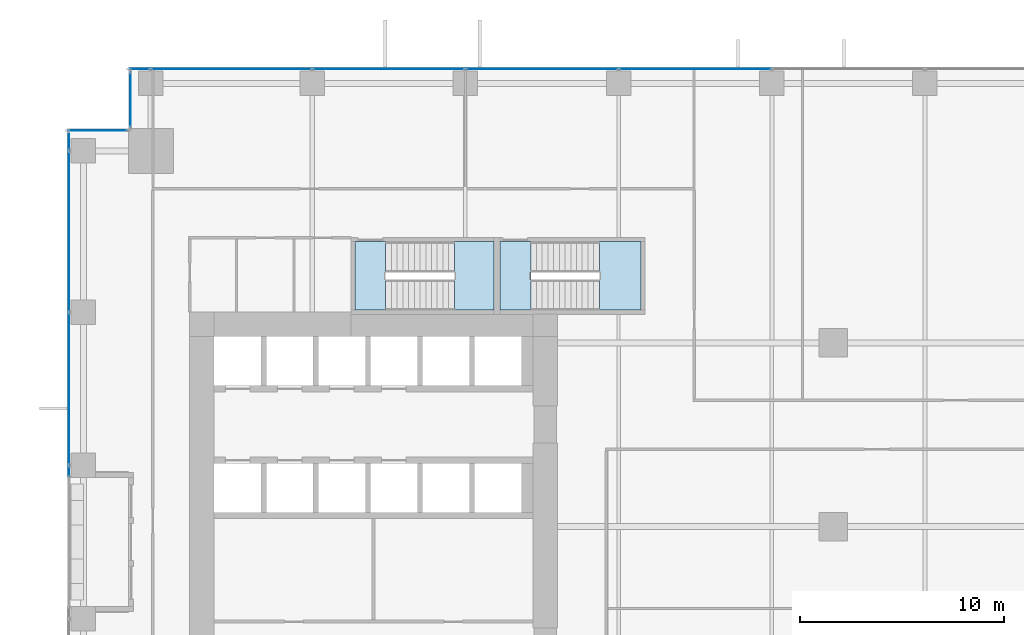
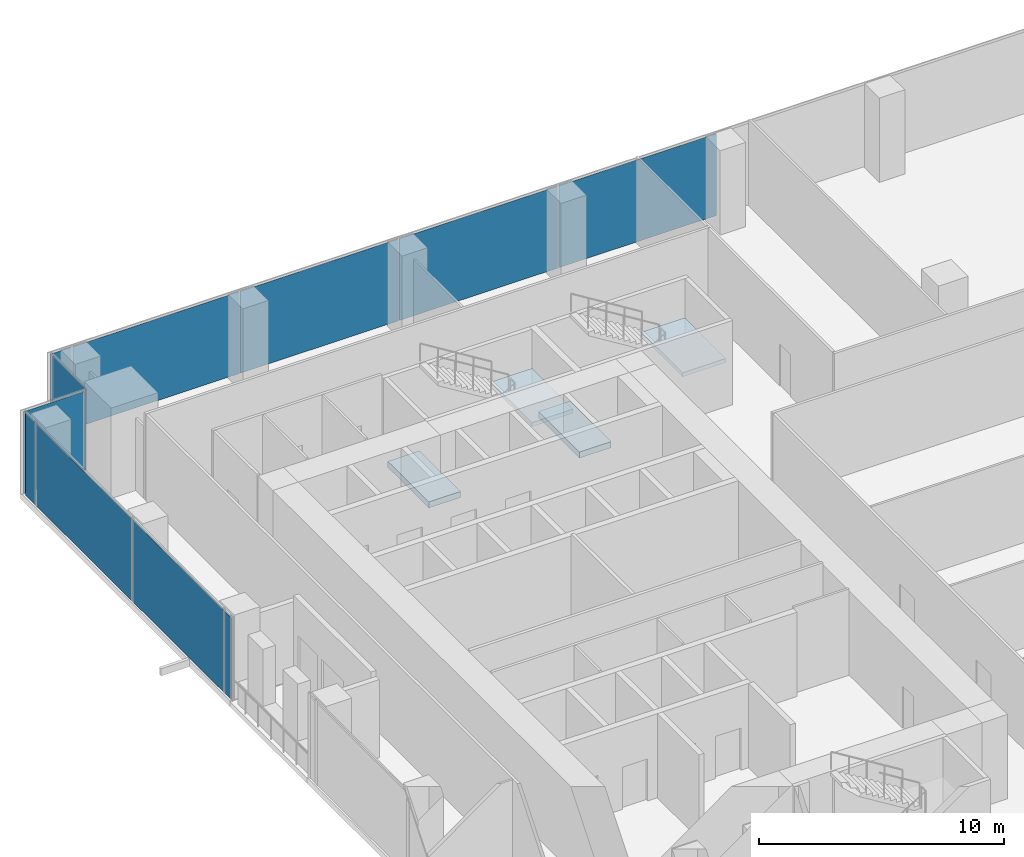
# One storey, part 24 of 32: 11 plates, 4 slabs, 6 elements without a shape of their own.
"""IFC4 building model written with IfcOpenShell, lengths in metres."""

from ifc_helpers import new_model, si_unit, direction, frame, origin, origin_2d, place, context, subcontext, project, spatial, polyline, rectangle, outline, extrude, source, transform, mapped, material, layer, layer_set, type_object, element, aggregate, save


model = new_model("IFC4")

# Units and contexts
model_context = context("Model", 3, precision=1e-05, world=origin(), true_north=direction((0.0, 1.0)))
body_context = subcontext(model_context, "Body", "Model", "MODEL_VIEW")
ifc_project = project(units=[si_unit("LENGTHUNIT", "METRE"), si_unit("AREAUNIT", "SQUARE_METRE"), si_unit("VOLUMEUNIT", "CUBIC_METRE"), si_unit("PLANEANGLEUNIT", "RADIAN"), si_unit("MASSUNIT", "GRAM", prefix="KILO")], contexts=[model_context])

# Site, building, storey
site_placement = place(None, origin())
site = spatial("IfcSite", under=ifc_project, at=site_placement, CompositionType="ELEMENT")
building_placement = place(site_placement, origin())
building = spatial("IfcBuilding", under=site, at=building_placement, Name="Khomas Fold Tower", CompositionType="ELEMENT")
storey_placement = place(building_placement, frame((0.0, 0.0, 64.5)))
storey = spatial("IfcBuildingStorey", under=building, at=storey_placement, Name="L13", CompositionType="ELEMENT", Elevation=64.5)

# Curtain wall, plate
ifc_material_1 = material(Name="Aluminium framed double glazing", Category="aluminium")
curtain_wall_type = type_object("IfcCurtainWallType", Name="SK-Unitised clear-glass wall, growing floors CW1", PredefinedType="NOTDEFINED", material=ifc_material_1)
curtain_wall_1_placement = place(storey_placement, origin())
curtain_wall_1 = element("IfcCurtainWall", 1, at=curtain_wall_1_placement, inside=storey, type_object=curtain_wall_type, Name="CW1 run L13 09-0", PredefinedType="NOTDEFINED")
ifc_material_2 = material(Name="Clear double glazed unit")
ifc_layer_1 = layer(ifc_material_2, 0.031982421875)
ifc_layer_set_1 = layer_set([ifc_layer_1], Name="Clear double glazed unit")
plate_type = type_object("IfcPlateType", Name="SK-Unitised clear-glass wall, growing floors glass panel CW1-P", PredefinedType="CURTAIN_PANEL", material=ifc_layer_set_1)
shared_shape_1 = source(origin(), body_context, "Body", "SweptSolid", [
    extrude(rectangle(XDim=0.81005859375, YDim=0.031982421875, at=origin_2d()), origin(), (0.0, 0.0, 1.0), 4.080078125),
])
plate_1_placement = place(storey_placement, frame((0.10009765625, 50.3349609375, 0.0), z_axis=(0.0, 0.0, 1.0), x_axis=(0.0, -1.0, 0.0)))
plate_1 = element("IfcPlate", 2, at=plate_1_placement, type_object=plate_type, Name="CW1 glass panel 1", PredefinedType="CURTAIN_PANEL", context=body_context, shape_type="MappedRepresentation", body=[
    mapped(shared_shape_1, transform((0.0, 0.0, 0.0))),
])

curtain_wall_2_placement = place(storey_placement, origin())
curtain_wall_2 = element("IfcCurtainWall", 3, at=curtain_wall_2_placement, inside=storey, type_object=curtain_wall_type, Name="CW1 run L13 06-0", PredefinedType="NOTDEFINED")
shared_shape_2 = source(origin(), body_context, "Body", "SweptSolid", [
    extrude(rectangle(XDim=7.840087890625, YDim=0.031982421875, at=origin_2d()), origin(), (0.0, 0.0, 1.0), 4.080078125),
])
plate_2_placement = place(storey_placement, frame((8.050048828125, 53.89990234375, 0.0), z_axis=(0.0, 0.0, 1.0), x_axis=(-1.0, 0.0, 0.0)))
plate_2 = element("IfcPlate", 4, at=plate_2_placement, type_object=plate_type, Name="CW1 glass panel 7", PredefinedType="CURTAIN_PANEL", context=body_context, shape_type="MappedRepresentation", body=[
    mapped(shared_shape_2, transform((0.0, 0.0, 0.0))),
])

# Plate
plate_3_placement = place(storey_placement, frame((0.10009765625, 45.949951171875, 0.0), z_axis=(0.0, 0.0, 1.0), x_axis=(0.0, -1.0, 0.0)))
plate_3 = element("IfcPlate", 5, at=plate_3_placement, type_object=plate_type, Name="CW1 glass panel 2", PredefinedType="CURTAIN_PANEL", context=body_context, shape_type="MappedRepresentation", body=[
    mapped(shared_shape_2, transform((0.0, 0.0, 0.0))),
])

shared_shape_3 = source(origin(), body_context, "Body", "SweptSolid", [
    extrude(rectangle(XDim=7.43994140625, YDim=0.031982421875, at=origin_2d()), origin(), (0.0, 0.0, 1.0), 4.080078125),
])
plate_4_placement = place(storey_placement, frame((30.75, 53.89990234375, 0.0), z_axis=(0.0, 0.0, 1.0), x_axis=(-1.0, 0.0, 0.0)))
plate_4 = element("IfcPlate", 6, at=plate_4_placement, type_object=plate_type, Name="CW1 glass panel 4", PredefinedType="CURTAIN_PANEL", context=body_context, shape_type="MappedRepresentation", body=[
    mapped(shared_shape_3, transform((0.0, 0.0, 0.0))),
])

plate_5_placement = place(storey_placement, frame((23.25, 53.89990234375, 0.0), z_axis=(0.0, 0.0, 1.0), x_axis=(-1.0, 0.0, 0.0)))
plate_5 = element("IfcPlate", 7, at=plate_5_placement, type_object=plate_type, Name="CW1 glass panel 5", PredefinedType="CURTAIN_PANEL", context=body_context, shape_type="MappedRepresentation", body=[
    mapped(shared_shape_3, transform((0.0, 0.0, 0.0))),
])

plate_6_placement = place(storey_placement, frame((15.75, 53.89990234375, 0.0), z_axis=(0.0, 0.0, 1.0), x_axis=(-1.0, 0.0, 0.0)))
plate_6 = element("IfcPlate", 8, at=plate_6_placement, type_object=plate_type, Name="CW1 glass panel 6", PredefinedType="CURTAIN_PANEL", context=body_context, shape_type="MappedRepresentation", body=[
    mapped(shared_shape_3, transform((0.0, 0.0, 0.0))),
])

plate_7_placement = place(storey_placement, frame((0.10009765625, 38.25, 0.0), z_axis=(0.0, 0.0, 1.0), x_axis=(0.0, -1.0, 0.0)))
plate_7 = element("IfcPlate", 9, at=plate_7_placement, type_object=plate_type, Name="CW1 glass panel 3", PredefinedType="CURTAIN_PANEL", context=body_context, shape_type="MappedRepresentation", body=[
    mapped(shared_shape_3, transform((0.0, 0.0, 0.0))),
])

shared_shape_4 = source(origin(), body_context, "Body", "SweptSolid", [
    extrude(rectangle(XDim=1.010009765625, YDim=0.031982421875, at=origin_2d()), origin(), (0.0, 0.0, 1.0), 4.080078125),
])
plate_8_placement = place(storey_placement, frame((3.56494140625, 53.89990234375, 0.0), z_axis=(0.0, 0.0, 1.0), x_axis=(-1.0, 0.0, 0.0)))
plate_8 = element("IfcPlate", 10, at=plate_8_placement, type_object=plate_type, Name="CW1 glass panel 8", PredefinedType="CURTAIN_PANEL", context=body_context, shape_type="MappedRepresentation", body=[
    mapped(shared_shape_4, transform((0.0, 0.0, 0.0))),
])

aggregate(curtain_wall_2, [plate_4, plate_5, plate_6, plate_2, plate_8])

# Curtain wall, plate
curtain_wall_3_placement = place(storey_placement, origin())
curtain_wall_3 = element("IfcCurtainWall", 11, at=curtain_wall_3_placement, inside=storey, type_object=curtain_wall_type, Name="CW1 corner return L13 07", PredefinedType="NOTDEFINED")
shared_shape_5 = source(origin(), body_context, "Body", "SweptSolid", [
    extrude(rectangle(XDim=2.679931640625, YDim=0.031982421875, at=origin_2d()), origin(), (0.0, 0.0, 1.0), 4.080078125),
])
plate_9_placement = place(storey_placement, frame((3.10009765625, 52.39990234375, 0.0), z_axis=(0.0, 0.0, 1.0), x_axis=(0.0, -1.0, 0.0)))
plate_9 = element("IfcPlate", 12, at=plate_9_placement, type_object=plate_type, Name="CW1 glass panel 1", PredefinedType="CURTAIN_PANEL", context=body_context, shape_type="MappedRepresentation", body=[
    mapped(shared_shape_5, transform((0.0, 0.0, 0.0))),
])
aggregate(curtain_wall_3, [plate_9])

curtain_wall_4_placement = place(storey_placement, origin())
curtain_wall_4 = element("IfcCurtainWall", 13, at=curtain_wall_4_placement, inside=storey, type_object=curtain_wall_type, Name="CW1 corner return L13 08", PredefinedType="NOTDEFINED")
shared_shape_6 = source(origin(), body_context, "Body", "SweptSolid", [
    extrude(rectangle(XDim=2.8798828125, YDim=0.031982421875, at=origin_2d()), origin(), (0.0, 0.0, 1.0), 4.080078125),
])
plate_10_placement = place(storey_placement, frame((1.5, 50.89990234375, 0.0), z_axis=(0.0, 0.0, 1.0), x_axis=(-1.0, 0.0, 0.0)))
plate_10 = element("IfcPlate", 14, at=plate_10_placement, type_object=plate_type, Name="CW1 glass panel 1", PredefinedType="CURTAIN_PANEL", context=body_context, shape_type="MappedRepresentation", body=[
    mapped(shared_shape_6, transform((0.0, 0.0, 0.0))),
])
aggregate(curtain_wall_4, [plate_10])

# Plate
shared_shape_7 = source(origin(), body_context, "Body", "SweptSolid", [
    extrude(rectangle(XDim=0.510009765625, YDim=0.031982421875, at=origin_2d()), origin(), (0.0, 0.0, 1.0), 4.080078125),
])
plate_11_placement = place(storey_placement, frame((0.10009765625, 34.215087890625, 0.0), z_axis=(0.0, 0.0, 1.0), x_axis=(0.0, -1.0, 0.0)))
plate_11 = element("IfcPlate", 15, at=plate_11_placement, type_object=plate_type, Name="CW1 glass panel 4", PredefinedType="CURTAIN_PANEL", context=body_context, shape_type="MappedRepresentation", body=[
    mapped(shared_shape_7, transform((0.0, 0.0, 0.0))),
])

aggregate(curtain_wall_1, [plate_1, plate_3, plate_7, plate_11])

# Stair, slab
ifc_material_3 = material(Name="Concrete C40/50", Category="concrete")
stair_type_1 = type_object("IfcStairType", Name="Stair ST1", PredefinedType="HALF_TURN_STAIR", material=ifc_material_3)
stair_1_placement = place(storey_placement, origin())
stair_1 = element("IfcStair", 16, at=stair_1_placement, inside=storey, type_object=stair_type_1, Name="L13 ST1", PredefinedType="HALF_TURN_STAIR")
ifc_material_4 = material(Name="Concrete C40/50", Category="concrete")
ifc_layer_2 = layer(ifc_material_4, 0.199951171875)
ifc_layer_set_2 = layer_set([ifc_layer_2], Name="Concrete C40/50")
slab_type_1 = type_object("IfcSlabType", Name="Stair landing 200", PredefinedType="LANDING", material=ifc_layer_set_2)
shared_shape_8 = source(origin(), body_context, "Body", "SweptSolid", [
    extrude(outline(polyline([(18.9599609375, 42.10009765625), (20.89990234375, 42.10009765625), (20.89990234375, 45.449951171875), (18.9599609375, 45.449951171875), (18.9599609375, 42.10009765625)])), origin(), (0.0, 0.0, 1.0), 0.199951171875),
])
slab_1_placement = place(storey_placement, frame((0.0, 0.0, 2.050048828125)))
slab_1 = element("IfcSlab", 17, at=slab_1_placement, type_object=slab_type_1, Name="ST1 landing 1", PredefinedType="LANDING", context=body_context, shape_type="MappedRepresentation", body=[
    mapped(shared_shape_8, transform((0.0, 0.0, 0.0))),
])
aggregate(stair_1, [slab_1])

# Slab
ifc_material_5 = material(Name="Concrete C40/50", Category="concrete")
ifc_layer_3 = layer(ifc_material_5, 0.300048828125)
ifc_layer_set_3 = layer_set([ifc_layer_3], Name="Concrete C40/50")
slab_type_2 = type_object("IfcSlabType", Name="Stair floor landing 300", PredefinedType="LANDING", material=ifc_layer_set_3)
shared_shape_9 = source(origin(), body_context, "Body", "SweptSolid", [
    extrude(outline(polyline([(15.60009765625, 42.10009765625), (14.10009765625, 42.10009765625), (14.10009765625, 45.449951171875), (15.60009765625, 45.449951171875), (15.60009765625, 42.10009765625)])), origin(), (0.0, 0.0, 1.0), 0.300048828125),
])
slab_2_placement = place(storey_placement, frame((0.0, 0.0, -0.300048828125)))
element("IfcSlab", 18, at=slab_2_placement, inside=storey, type_object=slab_type_2, Name="ST1 floor landing", PredefinedType="LANDING", context=body_context, shape_type="MappedRepresentation", body=[
    mapped(shared_shape_9, transform((0.0, 0.0, 0.0))),
])

# Stair, slab
ifc_material_6 = material(Name="Concrete C40/50", Category="concrete")
stair_type_2 = type_object("IfcStairType", Name="Stair ST3", PredefinedType="HALF_TURN_STAIR", material=ifc_material_6)
stair_2_placement = place(storey_placement, origin())
stair_2 = element("IfcStair", 19, at=stair_2_placement, inside=storey, type_object=stair_type_2, Name="L13 ST3", PredefinedType="HALF_TURN_STAIR")
shared_shape_10 = source(origin(), body_context, "Body", "SweptSolid", [
    extrude(outline(polyline([(26.06005859375, 42.10009765625), (28.10009765625, 42.10009765625), (28.10009765625, 45.449951171875), (26.06005859375, 45.449951171875), (26.06005859375, 42.10009765625)])), origin(), (0.0, 0.0, 1.0), 0.199951171875),
])
slab_3_placement = place(storey_placement, frame((0.0, 0.0, 2.050048828125)))
slab_3 = element("IfcSlab", 20, at=slab_3_placement, type_object=slab_type_1, Name="ST3 landing 1", PredefinedType="LANDING", context=body_context, shape_type="MappedRepresentation", body=[
    mapped(shared_shape_10, transform((0.0, 0.0, 0.0))),
])
aggregate(stair_2, [slab_3])

# Slab
shared_shape_11 = source(origin(), body_context, "Body", "SweptSolid", [
    extrude(outline(polyline([(22.699951171875, 42.10009765625), (21.199951171875, 42.10009765625), (21.199951171875, 45.449951171875), (22.699951171875, 45.449951171875), (22.699951171875, 42.10009765625)])), origin(), (0.0, 0.0, 1.0), 0.300048828125),
])
slab_4_placement = place(storey_placement, frame((0.0, 0.0, -0.300048828125)))
element("IfcSlab", 21, at=slab_4_placement, inside=storey, type_object=slab_type_2, Name="ST3 floor landing", PredefinedType="LANDING", context=body_context, shape_type="MappedRepresentation", body=[
    mapped(shared_shape_11, transform((0.0, 0.0, 0.0))),
])

save(model, "model.ifc")
